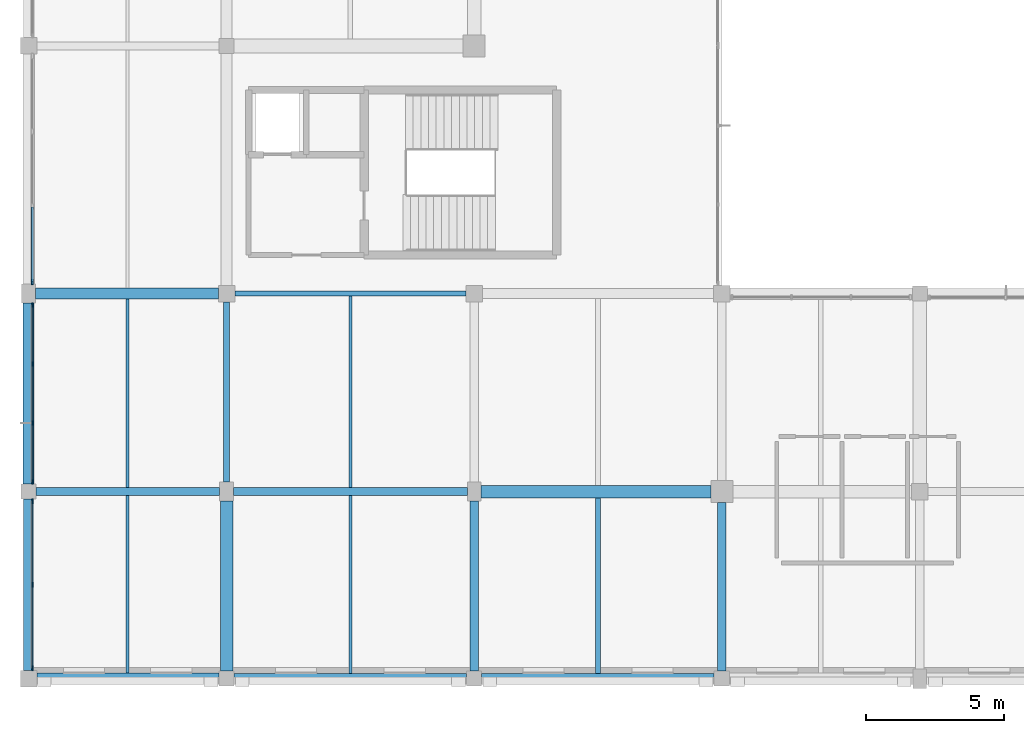
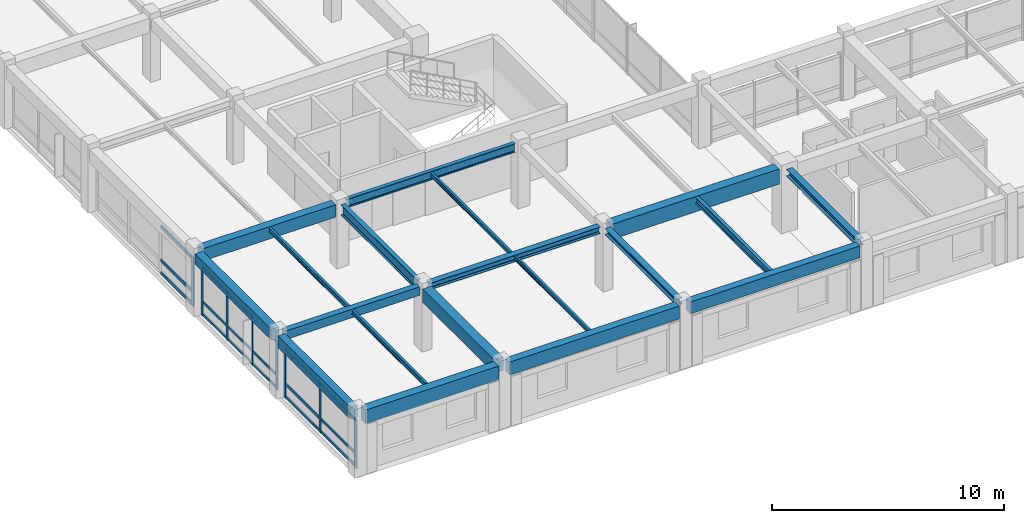
# One storey, part 4 of 74: 26 members, 19 beams, 3 elements without a shape of their own.
"""IFC4 building model written with IfcOpenShell, lengths in metres."""

from ifc_helpers import new_model, si_unit, direction, frame, origin, origin_2d, place, context, subcontext, project, spatial, rectangle, i_section, extrude, material, material_profile, profile_set, type_object, element, aggregate, save


model = new_model("IFC4")

# Units and contexts
model_context = context("Model", 3, precision=1e-05, world=origin(), true_north=direction((0.0, 1.0)))
body_context = subcontext(model_context, "Body", "Model", "MODEL_VIEW")
ifc_project = project(units=[si_unit("LENGTHUNIT", "METRE"), si_unit("AREAUNIT", "SQUARE_METRE"), si_unit("VOLUMEUNIT", "CUBIC_METRE"), si_unit("PLANEANGLEUNIT", "RADIAN"), si_unit("MASSUNIT", "GRAM", prefix="KILO")], contexts=[model_context])

# Site, building, storey
site_placement = place(None, origin())
site = spatial("IfcSite", under=ifc_project, at=site_placement, CompositionType="ELEMENT")
building_placement = place(site_placement, origin())
building = spatial("IfcBuilding", under=site, at=building_placement, Name="Clarverna Civic Hall", CompositionType="ELEMENT")
storey_placement = place(building_placement, frame((0.0, 0.0, 9.60009765625)))
storey = spatial("IfcBuildingStorey", under=building, at=storey_placement, Name="L02", CompositionType="ELEMENT", Elevation=9.60009765625)

# Beams
ifc_material_1 = material(Name="Concrete C35/45", Category="concrete")
ifc_material_profile_1 = material_profile(ifc_material_1, rectangle(XDim=0.300048828125, YDim=0.449951171875, at=origin_2d()), Name="RC 300x450")
ifc_profile_set_1 = profile_set([ifc_material_profile_1], Name="Concrete C35/45")
beam_type_1 = type_object("IfcBeamType", Name="B-RC18", PredefinedType="BEAM", material=ifc_profile_set_1)
beam_1_placement = place(storey_placement, frame((0.27490234375, 6.800048828125, 3.094970703125), z_axis=(1.0, 0.0, 0.0), x_axis=(0.0, 1.0, 0.0)))
element("IfcBeam", 1, at=beam_1_placement, inside=storey, type_object=beam_type_1, Name="B-RC18-032", PredefinedType="BEAM", context=body_context, shape_type="SweptSolid", body=[
    extrude(rectangle(XDim=0.300048828125, YDim=0.449951171875, at=origin_2d()), origin(), (0.0, 0.0, 1.0), 6.675048828125),
])
ifc_material_profile_2 = material_profile(ifc_material_1, rectangle(XDim=0.449951171875, YDim=0.800048828125, at=origin_2d()), Name="RC 450x800")
ifc_profile_set_2 = profile_set([ifc_material_profile_2], Name="Concrete C35/45")
beam_type_2 = type_object("IfcBeamType", Name="B-RC2", PredefinedType="BEAM", material=ifc_profile_set_2)
beam_2_placement = place(storey_placement, frame((16.449951171875, 6.800048828125, 2.919921875), z_axis=(1.0, 0.0, 0.0), x_axis=(0.0, 1.0, 0.0)))
element("IfcBeam", 2, at=beam_2_placement, inside=storey, type_object=beam_type_2, Name="B-RC2-023", PredefinedType="BEAM", context=body_context, shape_type="SweptSolid", body=[
    extrude(rectangle(XDim=0.449951171875, YDim=0.800048828125, at=origin_2d()), origin(), (0.0, 0.0, 1.0), 8.35009765625),
])
ifc_material_profile_3 = material_profile(ifc_material_1, rectangle(XDim=0.449951171875, YDim=0.699951171875, at=origin_2d()), Name="RC 450x700")
ifc_profile_set_3 = profile_set([ifc_material_profile_3], Name="Concrete C35/45")
beam_type_3 = type_object("IfcBeamType", Name="B-RC4", PredefinedType="BEAM", material=ifc_profile_set_3)
beam_3_placement = place(storey_placement, frame((7.199951171875, 0.27490234375, 2.969970703125), z_axis=(0.0, 1.0, 0.0), x_axis=(-1.0, 0.0, 0.0)))
element("IfcBeam", 3, at=beam_3_placement, inside=storey, type_object=beam_type_3, Name="B-RC4-023", PredefinedType="BEAM", context=body_context, shape_type="SweptSolid", body=[
    extrude(rectangle(XDim=0.449951171875, YDim=0.699951171875, at=origin_2d()), origin(), (0.0, 0.0, 1.0), 6.175048828125),
])
ifc_material_profile_4 = material_profile(ifc_material_1, rectangle(XDim=0.39990234375, YDim=0.64990234375, at=origin_2d()), Name="RC 400x650")
ifc_profile_set_4 = profile_set([ifc_material_profile_4], Name="Concrete C35/45")
beam_type_4 = type_object("IfcBeamType", Name="B-RC6", PredefinedType="BEAM", material=ifc_profile_set_4)
beam_4_placement = place(storey_placement, frame((0.25, 14.0, 2.994873046875), z_axis=(1.0, 0.0, 0.0), x_axis=(0.0, 1.0, 0.0)))
element("IfcBeam", 4, at=beam_4_placement, inside=storey, type_object=beam_type_4, Name="B-RC6-034", PredefinedType="BEAM", context=body_context, shape_type="SweptSolid", body=[
    extrude(rectangle(XDim=0.39990234375, YDim=0.64990234375, at=origin_2d()), origin(), (0.0, 0.0, 1.0), 6.64990234375),
])
ifc_material_profile_5 = material_profile(ifc_material_1, rectangle(XDim=0.419921875, YDim=0.719970703125, at=origin_2d()), Name="RC 420x720")
ifc_profile_set_5 = profile_set([ifc_material_profile_5], Name="Concrete C35/45")
beam_type_5 = type_object("IfcBeamType", Name="B-SP1", PredefinedType="SPANDREL", material=ifc_profile_set_5)
beam_5_placement = place(storey_placement, frame((0.300048828125, 0.0, 2.9599609375), z_axis=(1.0, 0.0, 0.0), x_axis=(0.0, 1.0, 0.0)))
element("IfcBeam", 5, at=beam_5_placement, inside=storey, type_object=beam_type_5, Name="B-SP1-081", PredefinedType="SPANDREL", context=body_context, shape_type="SweptSolid", body=[
    extrude(rectangle(XDim=0.419921875, YDim=0.719970703125, at=origin_2d()), origin(), (0.0, 0.0, 1.0), 6.625),
])
ifc_material_profile_6 = material_profile(ifc_material_1, rectangle(XDim=0.3798828125, YDim=0.679931640625, at=origin_2d()), Name="RC 380x680")
ifc_profile_set_6 = profile_set([ifc_material_profile_6], Name="Concrete C35/45")
beam_type_6 = type_object("IfcBeamType", Name="B-SP2", PredefinedType="SPANDREL", material=ifc_profile_set_6)
beam_6_placement = place(storey_placement, frame((7.47509765625, 0.0, 2.97998046875), z_axis=(1.0, 0.0, 0.0), x_axis=(0.0, 1.0, 0.0)))
element("IfcBeam", 6, at=beam_6_placement, inside=storey, type_object=beam_type_6, Name="B-SP2-082", PredefinedType="SPANDREL", context=body_context, shape_type="SweptSolid", body=[
    extrude(rectangle(XDim=0.3798828125, YDim=0.679931640625, at=origin_2d()), origin(), (0.0, 0.0, 1.0), 8.449951171875),
])
ifc_material_profile_7 = material_profile(ifc_material_1, rectangle(XDim=0.360107421875, YDim=0.6201171875, at=origin_2d()), Name="RC 360x620")
ifc_profile_set_7 = profile_set([ifc_material_profile_7], Name="Concrete C35/45")
beam_type_7 = type_object("IfcBeamType", Name="B-SP3", PredefinedType="SPANDREL", material=ifc_profile_set_7)
beam_7_placement = place(storey_placement, frame((16.47509765625, 0.0, 3.010009765625), z_axis=(1.0, 0.0, 0.0), x_axis=(0.0, 1.0, 0.0)))
element("IfcBeam", 7, at=beam_7_placement, inside=storey, type_object=beam_type_7, Name="B-SP3-082", PredefinedType="SPANDREL", context=body_context, shape_type="SweptSolid", body=[
    extrude(rectangle(XDim=0.360107421875, YDim=0.6201171875, at=origin_2d()), origin(), (0.0, 0.0, 1.0), 8.449951171875),
])
beam_8_placement = place(storey_placement, frame((0.0, 0.300048828125, 3.010009765625), z_axis=(0.0, 1.0, 0.0), x_axis=(-1.0, 0.0, 0.0)))
element("IfcBeam", 8, at=beam_8_placement, inside=storey, type_object=beam_type_7, Name="B-SP3-095", PredefinedType="SPANDREL", context=body_context, shape_type="SweptSolid", body=[
    extrude(rectangle(XDim=0.360107421875, YDim=0.6201171875, at=origin_2d()), origin(), (0.0, 0.0, 1.0), 6.224853515625),
])
ifc_material_profile_8 = material_profile(ifc_material_1, rectangle(XDim=0.39990234375, YDim=0.56005859375, at=origin_2d()), Name="RC 400x560")
ifc_profile_set_8 = profile_set([ifc_material_profile_8], Name="Concrete C35/45")
beam_type_8 = type_object("IfcBeamType", Name="B-SP4", PredefinedType="SPANDREL", material=ifc_profile_set_8)
beam_9_placement = place(storey_placement, frame((0.0, 7.074951171875, 3.039794921875), z_axis=(0.0, 1.0, 0.0), x_axis=(-1.0, 0.0, 0.0)))
element("IfcBeam", 9, at=beam_9_placement, inside=storey, type_object=beam_type_8, Name="B-SP4-094", PredefinedType="SPANDREL", context=body_context, shape_type="SweptSolid", body=[
    extrude(rectangle(XDim=0.39990234375, YDim=0.56005859375, at=origin_2d()), origin(), (0.0, 0.0, 1.0), 6.574951171875),
])
ifc_material_2 = material(Name="Steel S355", Category="steel")
ifc_material_profile_9 = material_profile(ifc_material_2, i_section(OverallWidth=0.2099609375, OverallDepth=0.550048828125, WebThickness=0.010986328125, FlangeThickness=0.01708984375, FilletRadius=0.02392578125, at=origin_2d()), Name="IPE 550")
ifc_profile_set_9 = profile_set([ifc_material_profile_9], Name="Steel S355")
beam_type_9 = type_object("IfcBeamType", Name="B-ST11", PredefinedType="BEAM", material=ifc_profile_set_9)
beam_10_placement = place(storey_placement, frame((7.199951171875, 7.14990234375, 3.044921875), z_axis=(0.0, 1.0, 0.0), x_axis=(-1.0, 0.0, 0.0)))
element("IfcBeam", 10, at=beam_10_placement, inside=storey, type_object=beam_type_9, Name="B-ST11-011", PredefinedType="BEAM", context=body_context, shape_type="SweptSolid", body=[
    extrude(i_section(OverallWidth=0.2099609375, OverallDepth=0.550048828125, WebThickness=0.010986328125, FlangeThickness=0.01708984375, FilletRadius=0.02392578125, at=origin_2d()), origin(), (0.0, 0.0, 1.0), 6.550048828125),
])
ifc_material_profile_10 = material_profile(ifc_material_2, i_section(OverallWidth=0.18994140625, OverallDepth=0.449951171875, WebThickness=0.009521484375, FlangeThickness=0.0146484375, FilletRadius=0.02099609375, at=origin_2d()), Name="IPE 450")
ifc_profile_set_10 = profile_set([ifc_material_profile_10], Name="Steel S355")
beam_type_10 = type_object("IfcBeamType", Name="B-ST13", PredefinedType="BEAM", material=ifc_profile_set_10)
beam_11_placement = place(storey_placement, frame((7.5, 14.0, 3.094970703125), z_axis=(1.0, 0.0, 0.0), x_axis=(0.0, 1.0, 0.0)))
element("IfcBeam", 11, at=beam_11_placement, inside=storey, type_object=beam_type_10, Name="B-ST13-007", PredefinedType="BEAM", context=body_context, shape_type="SweptSolid", body=[
    extrude(i_section(OverallWidth=0.18994140625, OverallDepth=0.449951171875, WebThickness=0.009521484375, FlangeThickness=0.0146484375, FilletRadius=0.02099609375, at=origin_2d()), origin(), (0.0, 0.0, 1.0), 8.39990234375),
])
ifc_material_profile_11 = material_profile(ifc_material_2, i_section(OverallWidth=0.300048828125, OverallDepth=0.35009765625, WebThickness=0.010009765625, FlangeThickness=0.017578125, FilletRadius=0.027099609375, at=origin_2d()), Name="HEA 360")
ifc_profile_set_11 = profile_set([ifc_material_profile_11], Name="Steel S355")
beam_type_11 = type_object("IfcBeamType", Name="B-ST7", PredefinedType="BEAM", material=ifc_profile_set_11)
beam_12_placement = place(storey_placement, frame((7.449951171875, 6.800048828125, 3.14501953125), z_axis=(1.0, 0.0, 0.0), x_axis=(0.0, 1.0, 0.0)))
element("IfcBeam", 12, at=beam_12_placement, inside=storey, type_object=beam_type_11, Name="B-ST7-010", PredefinedType="BEAM", context=body_context, shape_type="SweptSolid", body=[
    extrude(i_section(OverallWidth=0.300048828125, OverallDepth=0.35009765625, WebThickness=0.010009765625, FlangeThickness=0.017578125, FilletRadius=0.027099609375, at=origin_2d()), origin(), (0.0, 0.0, 1.0), 8.5),
])
beam_13_placement = place(storey_placement, frame((25.199951171875, 0.27490234375, 3.14501953125), z_axis=(0.0, 1.0, 0.0), x_axis=(-1.0, 0.0, 0.0)))
element("IfcBeam", 13, at=beam_13_placement, inside=storey, type_object=beam_type_11, Name="B-ST7-012", PredefinedType="BEAM", context=body_context, shape_type="SweptSolid", body=[
    extrude(i_section(OverallWidth=0.300048828125, OverallDepth=0.35009765625, WebThickness=0.010009765625, FlangeThickness=0.017578125, FilletRadius=0.027099609375, at=origin_2d()), origin(), (0.0, 0.0, 1.0), 6.125),
])
ifc_material_profile_12 = material_profile(ifc_material_2, i_section(OverallWidth=0.300048828125, OverallDepth=0.31005859375, WebThickness=0.009033203125, FlangeThickness=0.015380859375, FilletRadius=0.027099609375, at=origin_2d()), Name="HEA 320")
ifc_profile_set_12 = profile_set([ifc_material_profile_12], Name="Steel S355")
beam_type_12 = type_object("IfcBeamType", Name="B-ST9", PredefinedType="BEAM", material=ifc_profile_set_12)
beam_14_placement = place(storey_placement, frame((16.199951171875, 0.27490234375, 3.164794921875), z_axis=(0.0, 1.0, 0.0), x_axis=(-1.0, 0.0, 0.0)))
element("IfcBeam", 14, at=beam_14_placement, inside=storey, type_object=beam_type_12, Name="B-ST9-075", PredefinedType="BEAM", context=body_context, shape_type="SweptSolid", body=[
    extrude(i_section(OverallWidth=0.300048828125, OverallDepth=0.31005859375, WebThickness=0.009033203125, FlangeThickness=0.015380859375, FilletRadius=0.027099609375, at=origin_2d()), origin(), (0.0, 0.0, 1.0), 6.175048828125),
])

# Curtain wall, members
ifc_material_3 = material(Name="Anodised Bronze Architectural Aluminium", Category="aluminium")
curtain_wall_type = type_object("IfcCurtainWallType", Name="CW-01", PredefinedType="USERDEFINED", material=ifc_material_3)
curtain_wall_1_placement = place(storey_placement, origin())
curtain_wall_1 = element("IfcCurtainWall", 15, at=curtain_wall_1_placement, inside=storey, type_object=curtain_wall_type, Name="CW-01-015", ObjectType="UNITISED CURTAIN WALL", PredefinedType="USERDEFINED")
ifc_material_profile_13 = material_profile(ifc_material_3, rectangle(XDim=0.06005859375, YDim=0.179931640625, at=origin_2d()), Name="BRONZE 60x180")
ifc_profile_set_13 = profile_set([ifc_material_profile_13], Name="Anodised Bronze Architectural Aluminium")
member_type_1 = type_object("IfcMemberType", Name="CWM-01", PredefinedType="MULLION", material=ifc_profile_set_13)
member_1_placement = place(storey_placement, frame((0.139892578125, 0.373046875, 0.0), z_axis=(0.0, 0.0, 1.0), x_axis=(1.0, 0.0, 0.0)))
member_1 = element("IfcMember", 16, at=member_1_placement, type_object=member_type_1, Name="CWM-01-067", PredefinedType="MULLION", context=body_context, shape_type="SweptSolid", body=[
    extrude(rectangle(XDim=0.06005859375, YDim=0.179931640625, at=origin_2d()), origin(), (0.0, 0.0, 1.0), 2.599853515625),
])
member_2_placement = place(storey_placement, frame((0.139892578125, 3.41259765625, 0.0), z_axis=(0.0, 0.0, 1.0), x_axis=(1.0, 0.0, 0.0)))
member_2 = element("IfcMember", 17, at=member_2_placement, type_object=member_type_1, Name="CWM-01-068", PredefinedType="MULLION", context=body_context, shape_type="SweptSolid", body=[
    extrude(rectangle(XDim=0.06005859375, YDim=0.179931640625, at=origin_2d()), origin(), (0.0, 0.0, 1.0), 2.599853515625),
])
member_3_placement = place(storey_placement, frame((0.139892578125, 6.451904296875, 0.0), z_axis=(0.0, 0.0, 1.0), x_axis=(1.0, 0.0, 0.0)))
member_3 = element("IfcMember", 18, at=member_3_placement, type_object=member_type_1, Name="CWM-01-069", PredefinedType="MULLION", context=body_context, shape_type="SweptSolid", body=[
    extrude(rectangle(XDim=0.06005859375, YDim=0.179931640625, at=origin_2d()), origin(), (0.0, 0.0, 1.0), 2.599853515625),
])

curtain_wall_2_placement = place(storey_placement, origin())
curtain_wall_2 = element("IfcCurtainWall", 19, at=curtain_wall_2_placement, inside=storey, type_object=curtain_wall_type, Name="CW-01-016", ObjectType="UNITISED CURTAIN WALL", PredefinedType="USERDEFINED")
ifc_material_profile_14 = material_profile(ifc_material_3, rectangle(XDim=0.06005859375, YDim=0.159912109375, at=origin_2d()), Name="BRONZE 60x160")
ifc_profile_set_14 = profile_set([ifc_material_profile_14], Name="Anodised Bronze Architectural Aluminium")
member_type_2 = type_object("IfcMemberType", Name="CWM-02", PredefinedType="MULLION", material=ifc_profile_set_14)
member_4_placement = place(storey_placement, frame((0.139892578125, 7.14794921875, 0.0), z_axis=(0.0, 0.0, 1.0), x_axis=(1.0, 0.0, 0.0)))
member_4 = element("IfcMember", 20, at=member_4_placement, type_object=member_type_2, Name="CWM-02-079", PredefinedType="MULLION", context=body_context, shape_type="SweptSolid", body=[
    extrude(rectangle(XDim=0.06005859375, YDim=0.159912109375, at=origin_2d()), origin(), (0.0, 0.0, 1.0), 2.599853515625),
])
member_5_placement = place(storey_placement, frame((0.139892578125, 9.291015625, 0.0), z_axis=(0.0, 0.0, 1.0), x_axis=(1.0, 0.0, 0.0)))
member_5 = element("IfcMember", 21, at=member_5_placement, type_object=member_type_2, Name="CWM-02-080", PredefinedType="MULLION", context=body_context, shape_type="SweptSolid", body=[
    extrude(rectangle(XDim=0.06005859375, YDim=0.159912109375, at=origin_2d()), origin(), (0.0, 0.0, 1.0), 2.599853515625),
])
member_6_placement = place(storey_placement, frame((0.139892578125, 11.43408203125, 0.0), z_axis=(0.0, 0.0, 1.0), x_axis=(1.0, 0.0, 0.0)))
member_6 = element("IfcMember", 22, at=member_6_placement, type_object=member_type_2, Name="CWM-02-081", PredefinedType="MULLION", context=body_context, shape_type="SweptSolid", body=[
    extrude(rectangle(XDim=0.06005859375, YDim=0.159912109375, at=origin_2d()), origin(), (0.0, 0.0, 1.0), 2.599853515625),
])
member_7_placement = place(storey_placement, frame((0.139892578125, 13.576904296875, 0.0), z_axis=(0.0, 0.0, 1.0), x_axis=(1.0, 0.0, 0.0)))
member_7 = element("IfcMember", 23, at=member_7_placement, type_object=member_type_2, Name="CWM-02-082", PredefinedType="MULLION", context=body_context, shape_type="SweptSolid", body=[
    extrude(rectangle(XDim=0.06005859375, YDim=0.159912109375, at=origin_2d()), origin(), (0.0, 0.0, 1.0), 2.599853515625),
])

# Curtain wall, member
curtain_wall_3_placement = place(storey_placement, origin())
curtain_wall_3 = element("IfcCurtainWall", 24, at=curtain_wall_3_placement, inside=storey, type_object=curtain_wall_type, Name="CW-01-017", ObjectType="UNITISED CURTAIN WALL", PredefinedType="USERDEFINED")
ifc_material_profile_15 = material_profile(ifc_material_3, rectangle(XDim=0.06494140625, YDim=0.199951171875, at=origin_2d()), Name="BRONZE 65x200")
ifc_profile_set_15 = profile_set([ifc_material_profile_15], Name="Anodised Bronze Architectural Aluminium")
member_type_3 = type_object("IfcMemberType", Name="CWM-03", PredefinedType="MULLION", material=ifc_profile_set_15)
member_8_placement = place(storey_placement, frame((0.139892578125, 14.423095703125, 0.0), z_axis=(0.0, 0.0, 1.0), x_axis=(1.0, 0.0, 0.0)))
member_8 = element("IfcMember", 25, at=member_8_placement, type_object=member_type_3, Name="CWM-03-067", PredefinedType="MULLION", context=body_context, shape_type="SweptSolid", body=[
    extrude(rectangle(XDim=0.06494140625, YDim=0.199951171875, at=origin_2d()), origin(), (0.0, 0.0, 1.0), 2.599853515625),
])

# Member
ifc_material_profile_16 = material_profile(ifc_material_3, rectangle(XDim=0.06005859375, YDim=0.14990234375, at=origin_2d()), Name="BRONZE 60x150")
ifc_profile_set_16 = profile_set([ifc_material_profile_16], Name="Anodised Bronze Architectural Aluminium")
member_type_4 = type_object("IfcMemberType", Name="CWT-01", PredefinedType="USERDEFINED", material=ifc_profile_set_16)
member_9_placement = place(storey_placement, frame((0.139892578125, 0.387939453125, 0.094970703125), z_axis=(0.0, 1.0, 0.0), x_axis=(-1.0, 0.0, 0.0)))
member_9 = element("IfcMember", 26, at=member_9_placement, type_object=member_type_4, Name="CWT-01-139", ObjectType="TRANSOM", PredefinedType="USERDEFINED", context=body_context, shape_type="SweptSolid", body=[
    extrude(rectangle(XDim=0.06005859375, YDim=0.14990234375, at=origin_2d()), origin(), (0.0, 0.0, 1.0), 3.009521484375),
])

member_10_placement = place(storey_placement, frame((0.139892578125, 0.387939453125, 0.75), z_axis=(0.0, 1.0, 0.0), x_axis=(-1.0, 0.0, 0.0)))
member_10 = element("IfcMember", 27, at=member_10_placement, type_object=member_type_4, Name="CWT-01-140", ObjectType="TRANSOM", PredefinedType="USERDEFINED", context=body_context, shape_type="SweptSolid", body=[
    extrude(rectangle(XDim=0.06005859375, YDim=0.14990234375, at=origin_2d()), origin(), (0.0, 0.0, 1.0), 3.009521484375),
])

member_11_placement = place(storey_placement, frame((0.139892578125, 0.387939453125, 2.5048828125), z_axis=(0.0, 1.0, 0.0), x_axis=(-1.0, 0.0, 0.0)))
member_11 = element("IfcMember", 28, at=member_11_placement, type_object=member_type_4, Name="CWT-01-141", ObjectType="TRANSOM", PredefinedType="USERDEFINED", context=body_context, shape_type="SweptSolid", body=[
    extrude(rectangle(XDim=0.06005859375, YDim=0.14990234375, at=origin_2d()), origin(), (0.0, 0.0, 1.0), 3.009521484375),
])

member_12_placement = place(storey_placement, frame((0.139892578125, 3.427490234375, 0.094970703125), z_axis=(0.0, 1.0, 0.0), x_axis=(-1.0, 0.0, 0.0)))
member_12 = element("IfcMember", 29, at=member_12_placement, type_object=member_type_4, Name="CWT-01-142", ObjectType="TRANSOM", PredefinedType="USERDEFINED", context=body_context, shape_type="SweptSolid", body=[
    extrude(rectangle(XDim=0.06005859375, YDim=0.14990234375, at=origin_2d()), origin(), (0.0, 0.0, 1.0), 3.009521484375),
])

member_13_placement = place(storey_placement, frame((0.139892578125, 3.427490234375, 0.75), z_axis=(0.0, 1.0, 0.0), x_axis=(-1.0, 0.0, 0.0)))
member_13 = element("IfcMember", 30, at=member_13_placement, type_object=member_type_4, Name="CWT-01-143", ObjectType="TRANSOM", PredefinedType="USERDEFINED", context=body_context, shape_type="SweptSolid", body=[
    extrude(rectangle(XDim=0.06005859375, YDim=0.14990234375, at=origin_2d()), origin(), (0.0, 0.0, 1.0), 3.009521484375),
])

member_14_placement = place(storey_placement, frame((0.139892578125, 3.427490234375, 2.5048828125), z_axis=(0.0, 1.0, 0.0), x_axis=(-1.0, 0.0, 0.0)))
member_14 = element("IfcMember", 31, at=member_14_placement, type_object=member_type_4, Name="CWT-01-144", ObjectType="TRANSOM", PredefinedType="USERDEFINED", context=body_context, shape_type="SweptSolid", body=[
    extrude(rectangle(XDim=0.06005859375, YDim=0.14990234375, at=origin_2d()), origin(), (0.0, 0.0, 1.0), 3.009521484375),
])

aggregate(curtain_wall_1, [member_1, member_2, member_3, member_9, member_10, member_11, member_12, member_13, member_14])

ifc_material_profile_17 = material_profile(ifc_material_3, rectangle(XDim=0.06005859375, YDim=0.1298828125, at=origin_2d()), Name="BRONZE 60x130")
ifc_profile_set_17 = profile_set([ifc_material_profile_17], Name="Anodised Bronze Architectural Aluminium")
member_type_5 = type_object("IfcMemberType", Name="CWT-02", PredefinedType="USERDEFINED", material=ifc_profile_set_17)
member_15_placement = place(storey_placement, frame((0.139892578125, 7.1630859375, 0.094970703125), z_axis=(0.0, 1.0, 0.0), x_axis=(-1.0, 0.0, 0.0)))
member_15 = element("IfcMember", 32, at=member_15_placement, type_object=member_type_5, Name="CWT-02-163", ObjectType="TRANSOM", PredefinedType="USERDEFINED", context=body_context, shape_type="SweptSolid", body=[
    extrude(rectangle(XDim=0.06005859375, YDim=0.1298828125, at=origin_2d()), origin(), (0.0, 0.0, 1.0), 2.11279296875),
])

member_16_placement = place(storey_placement, frame((0.139892578125, 7.1630859375, 0.75), z_axis=(0.0, 1.0, 0.0), x_axis=(-1.0, 0.0, 0.0)))
member_16 = element("IfcMember", 33, at=member_16_placement, type_object=member_type_5, Name="CWT-02-164", ObjectType="TRANSOM", PredefinedType="USERDEFINED", context=body_context, shape_type="SweptSolid", body=[
    extrude(rectangle(XDim=0.06005859375, YDim=0.1298828125, at=origin_2d()), origin(), (0.0, 0.0, 1.0), 2.11279296875),
])

member_17_placement = place(storey_placement, frame((0.139892578125, 7.1630859375, 2.5048828125), z_axis=(0.0, 1.0, 0.0), x_axis=(-1.0, 0.0, 0.0)))
member_17 = element("IfcMember", 34, at=member_17_placement, type_object=member_type_5, Name="CWT-02-165", ObjectType="TRANSOM", PredefinedType="USERDEFINED", context=body_context, shape_type="SweptSolid", body=[
    extrude(rectangle(XDim=0.06005859375, YDim=0.1298828125, at=origin_2d()), origin(), (0.0, 0.0, 1.0), 2.11279296875),
])

member_18_placement = place(storey_placement, frame((0.139892578125, 9.305908203125, 0.094970703125), z_axis=(0.0, 1.0, 0.0), x_axis=(-1.0, 0.0, 0.0)))
member_18 = element("IfcMember", 35, at=member_18_placement, type_object=member_type_5, Name="CWT-02-166", ObjectType="TRANSOM", PredefinedType="USERDEFINED", context=body_context, shape_type="SweptSolid", body=[
    extrude(rectangle(XDim=0.06005859375, YDim=0.1298828125, at=origin_2d()), origin(), (0.0, 0.0, 1.0), 2.113037109375),
])

member_19_placement = place(storey_placement, frame((0.139892578125, 9.305908203125, 0.75), z_axis=(0.0, 1.0, 0.0), x_axis=(-1.0, 0.0, 0.0)))
member_19 = element("IfcMember", 36, at=member_19_placement, type_object=member_type_5, Name="CWT-02-167", ObjectType="TRANSOM", PredefinedType="USERDEFINED", context=body_context, shape_type="SweptSolid", body=[
    extrude(rectangle(XDim=0.06005859375, YDim=0.1298828125, at=origin_2d()), origin(), (0.0, 0.0, 1.0), 2.113037109375),
])

member_20_placement = place(storey_placement, frame((0.139892578125, 9.305908203125, 2.5048828125), z_axis=(0.0, 1.0, 0.0), x_axis=(-1.0, 0.0, 0.0)))
member_20 = element("IfcMember", 37, at=member_20_placement, type_object=member_type_5, Name="CWT-02-168", ObjectType="TRANSOM", PredefinedType="USERDEFINED", context=body_context, shape_type="SweptSolid", body=[
    extrude(rectangle(XDim=0.06005859375, YDim=0.1298828125, at=origin_2d()), origin(), (0.0, 0.0, 1.0), 2.113037109375),
])

member_21_placement = place(storey_placement, frame((0.139892578125, 11.448974609375, 0.094970703125), z_axis=(0.0, 1.0, 0.0), x_axis=(-1.0, 0.0, 0.0)))
member_21 = element("IfcMember", 38, at=member_21_placement, type_object=member_type_5, Name="CWT-02-169", ObjectType="TRANSOM", PredefinedType="USERDEFINED", context=body_context, shape_type="SweptSolid", body=[
    extrude(rectangle(XDim=0.06005859375, YDim=0.1298828125, at=origin_2d()), origin(), (0.0, 0.0, 1.0), 2.113037109375),
])

member_22_placement = place(storey_placement, frame((0.139892578125, 11.448974609375, 0.75), z_axis=(0.0, 1.0, 0.0), x_axis=(-1.0, 0.0, 0.0)))
member_22 = element("IfcMember", 39, at=member_22_placement, type_object=member_type_5, Name="CWT-02-170", ObjectType="TRANSOM", PredefinedType="USERDEFINED", context=body_context, shape_type="SweptSolid", body=[
    extrude(rectangle(XDim=0.06005859375, YDim=0.1298828125, at=origin_2d()), origin(), (0.0, 0.0, 1.0), 2.113037109375),
])

member_23_placement = place(storey_placement, frame((0.139892578125, 11.448974609375, 2.5048828125), z_axis=(0.0, 1.0, 0.0), x_axis=(-1.0, 0.0, 0.0)))
member_23 = element("IfcMember", 40, at=member_23_placement, type_object=member_type_5, Name="CWT-02-171", ObjectType="TRANSOM", PredefinedType="USERDEFINED", context=body_context, shape_type="SweptSolid", body=[
    extrude(rectangle(XDim=0.06005859375, YDim=0.1298828125, at=origin_2d()), origin(), (0.0, 0.0, 1.0), 2.113037109375),
])

aggregate(curtain_wall_2, [member_4, member_5, member_6, member_7, member_15, member_16, member_17, member_18, member_19, member_20, member_21, member_22, member_23])

ifc_material_profile_18 = material_profile(ifc_material_3, rectangle(XDim=0.06494140625, YDim=0.169921875, at=origin_2d()), Name="BRONZE 65x170")
ifc_profile_set_18 = profile_set([ifc_material_profile_18], Name="Anodised Bronze Architectural Aluminium")
member_type_6 = type_object("IfcMemberType", Name="CWT-03", PredefinedType="USERDEFINED", material=ifc_profile_set_18)
member_24_placement = place(storey_placement, frame((0.139892578125, 14.43798828125, 0.094970703125), z_axis=(0.0, 1.0, 0.0), x_axis=(-1.0, 0.0, 0.0)))
member_24 = element("IfcMember", 41, at=member_24_placement, type_object=member_type_6, Name="CWT-03-139", ObjectType="TRANSOM", PredefinedType="USERDEFINED", context=body_context, shape_type="SweptSolid", body=[
    extrude(rectangle(XDim=0.06494140625, YDim=0.169921875, at=origin_2d()), origin(), (0.0, 0.0, 1.0), 2.70458984375),
])

member_25_placement = place(storey_placement, frame((0.139892578125, 14.43798828125, 0.75), z_axis=(0.0, 1.0, 0.0), x_axis=(-1.0, 0.0, 0.0)))
member_25 = element("IfcMember", 42, at=member_25_placement, type_object=member_type_6, Name="CWT-03-140", ObjectType="TRANSOM", PredefinedType="USERDEFINED", context=body_context, shape_type="SweptSolid", body=[
    extrude(rectangle(XDim=0.06494140625, YDim=0.169921875, at=origin_2d()), origin(), (0.0, 0.0, 1.0), 2.70458984375),
])

member_26_placement = place(storey_placement, frame((0.139892578125, 14.43798828125, 2.5048828125), z_axis=(0.0, 1.0, 0.0), x_axis=(-1.0, 0.0, 0.0)))
member_26 = element("IfcMember", 43, at=member_26_placement, type_object=member_type_6, Name="CWT-03-141", ObjectType="TRANSOM", PredefinedType="USERDEFINED", context=body_context, shape_type="SweptSolid", body=[
    extrude(rectangle(XDim=0.06494140625, YDim=0.169921875, at=origin_2d()), origin(), (0.0, 0.0, 1.0), 2.70458984375),
])

aggregate(curtain_wall_3, [member_8, member_24, member_25, member_26])

# Beams
ifc_material_profile_19 = material_profile(ifc_material_2, i_section(OverallWidth=0.169921875, OverallDepth=0.360107421875, WebThickness=0.008056640625, FlangeThickness=0.0126953125, FilletRadius=0.01806640625, at=origin_2d()), Name="IPE 360")
ifc_profile_set_19 = profile_set([ifc_material_profile_19], Name="Steel S355")
beam_type_13 = type_object("IfcBeamType", Name="J-ST1", PredefinedType="JOIST", material=ifc_profile_set_19)
beam_15_placement = place(storey_placement, frame((20.699951171875, 0.179931640625, 3.139892578125), z_axis=(0.0, 1.0, 0.0), x_axis=(-1.0, 0.0, 0.0)))
element("IfcBeam", 44, at=beam_15_placement, inside=storey, type_object=beam_type_13, Name="J-ST1-048", PredefinedType="JOIST", context=body_context, shape_type="SweptSolid", body=[
    extrude(i_section(OverallWidth=0.169921875, OverallDepth=0.360107421875, WebThickness=0.008056640625, FlangeThickness=0.0126953125, FilletRadius=0.01806640625, at=origin_2d()), origin(), (0.0, 0.0, 1.0), 6.39501953125),
])
ifc_material_profile_20 = material_profile(ifc_material_2, i_section(OverallWidth=0.1201171875, OverallDepth=0.239990234375, WebThickness=0.006103515625, FlangeThickness=0.009765625, FilletRadius=0.014892578125, at=origin_2d()), Name="IPE 240")
ifc_profile_set_20 = profile_set([ifc_material_profile_20], Name="Steel S355")
beam_type_14 = type_object("IfcBeamType", Name="J-ST5", PredefinedType="JOIST", material=ifc_profile_set_20)
beam_16_placement = place(storey_placement, frame((3.60009765625, 0.2099609375, 3.199951171875), z_axis=(0.0, 1.0, 0.0), x_axis=(-1.0, 0.0, 0.0)))
element("IfcBeam", 45, at=beam_16_placement, inside=storey, type_object=beam_type_14, Name="J-ST5-047", PredefinedType="JOIST", context=body_context, shape_type="SweptSolid", body=[
    extrude(i_section(OverallWidth=0.1201171875, OverallDepth=0.239990234375, WebThickness=0.006103515625, FlangeThickness=0.009765625, FilletRadius=0.014892578125, at=origin_2d()), origin(), (0.0, 0.0, 1.0), 6.43994140625),
])
beam_17_placement = place(storey_placement, frame((3.60009765625, 6.949951171875, 3.199951171875), z_axis=(0.0, 1.0, 0.0), x_axis=(-1.0, 0.0, 0.0)))
element("IfcBeam", 46, at=beam_17_placement, inside=storey, type_object=beam_type_14, Name="J-ST5-048", PredefinedType="JOIST", context=body_context, shape_type="SweptSolid", body=[
    extrude(i_section(OverallWidth=0.1201171875, OverallDepth=0.239990234375, WebThickness=0.006103515625, FlangeThickness=0.009765625, FilletRadius=0.014892578125, at=origin_2d()), origin(), (0.0, 0.0, 1.0), 6.85009765625),
])
ifc_material_profile_21 = material_profile(ifc_material_2, i_section(OverallWidth=0.110107421875, OverallDepth=0.219970703125, WebThickness=0.005859375, FlangeThickness=0.00927734375, FilletRadius=0.011962890625, at=origin_2d()), Name="IPE 220")
ifc_profile_set_21 = profile_set([ifc_material_profile_21], Name="Steel S355")
beam_type_15 = type_object("IfcBeamType", Name="J-ST6", PredefinedType="JOIST", material=ifc_profile_set_21)
beam_18_placement = place(storey_placement, frame((11.699951171875, 0.18994140625, 3.2099609375), z_axis=(0.0, 1.0, 0.0), x_axis=(-1.0, 0.0, 0.0)))
element("IfcBeam", 47, at=beam_18_placement, inside=storey, type_object=beam_type_15, Name="J-ST6-048", PredefinedType="JOIST", context=body_context, shape_type="SweptSolid", body=[
    extrude(i_section(OverallWidth=0.110107421875, OverallDepth=0.219970703125, WebThickness=0.005859375, FlangeThickness=0.00927734375, FilletRadius=0.011962890625, at=origin_2d()), origin(), (0.0, 0.0, 1.0), 6.4599609375),
])
beam_19_placement = place(storey_placement, frame((11.699951171875, 6.949951171875, 3.2099609375), z_axis=(0.0, 1.0, 0.0), x_axis=(-1.0, 0.0, 0.0)))
element("IfcBeam", 48, at=beam_19_placement, inside=storey, type_object=beam_type_15, Name="J-ST6-049", PredefinedType="JOIST", context=body_context, shape_type="SweptSolid", body=[
    extrude(i_section(OverallWidth=0.110107421875, OverallDepth=0.219970703125, WebThickness=0.005859375, FlangeThickness=0.00927734375, FilletRadius=0.011962890625, at=origin_2d()), origin(), (0.0, 0.0, 1.0), 6.955078125),
])

save(model, "model.ifc")
